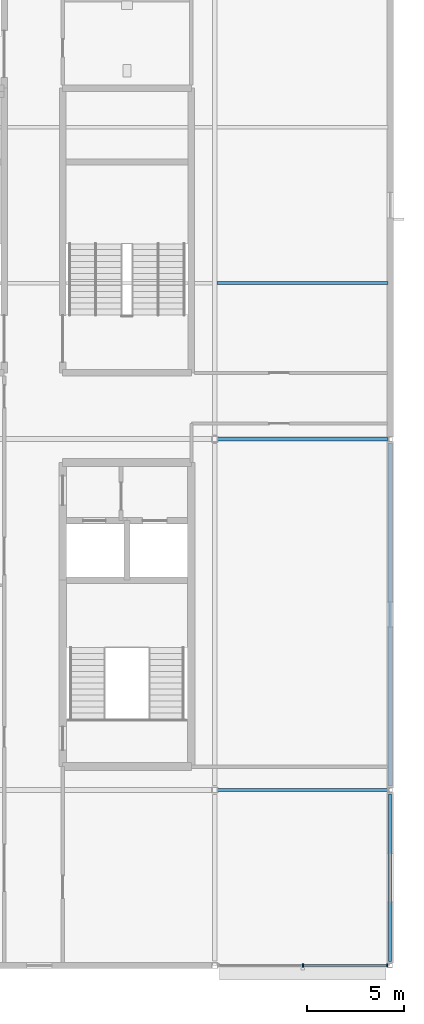
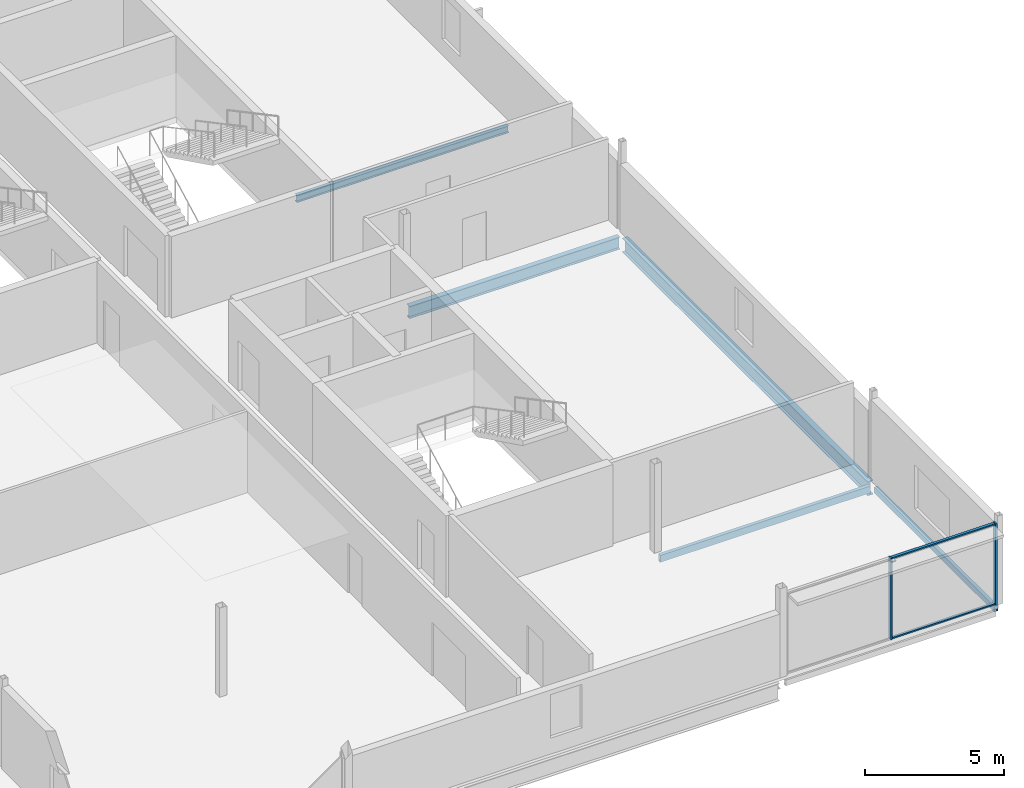
# One storey, part 23 of 55: 5 beams, 4 members, 1 element without a shape of its own.
"""IFC4 building model written with IfcOpenShell, lengths in metres."""

from ifc_helpers import new_model, si_unit, direction, frame, origin, origin_2d, place, context, subcontext, project, spatial, rectangle, hollow_rectangle, i_section, extrude, material, layer, layer_set, material_profile, profile_set, type_object, element, aggregate, save


model = new_model("IFC4")

# Units and contexts
model_context = context("Model", 3, precision=1e-05, world=origin(), true_north=direction((0.0, 1.0)))
body_context = subcontext(model_context, "Body", "Model", "MODEL_VIEW")
ifc_project = project(units=[si_unit("LENGTHUNIT", "METRE"), si_unit("AREAUNIT", "SQUARE_METRE"), si_unit("VOLUMEUNIT", "CUBIC_METRE"), si_unit("PLANEANGLEUNIT", "RADIAN"), si_unit("MASSUNIT", "GRAM", prefix="KILO")], contexts=[model_context])

# Site, building, storey
site_placement = place(None, origin())
site = spatial("IfcSite", under=ifc_project, at=site_placement, CompositionType="ELEMENT")
building_placement = place(site_placement, origin())
building = spatial("IfcBuilding", under=site, at=building_placement, Name="Kisiwana Market Hall", CompositionType="ELEMENT")
storey_placement = place(building_placement, frame((0.0, 0.0, 37.800048828125)))
storey = spatial("IfcBuildingStorey", under=building, at=storey_placement, Name="L08", CompositionType="ELEMENT", Elevation=37.800048828125)

# Beams
ifc_material_1 = material(Name="Steel S355", Category="steel")
ifc_material_profile_1 = material_profile(ifc_material_1, i_section(OverallWidth=0.209228515625, OverallDepth=0.533203125, WebThickness=0.010009765625, FlangeThickness=0.015625, at=origin_2d()), Name="UB 533x210x92")
ifc_profile_set_1 = profile_set([ifc_material_profile_1], Name="Steel S355")
beam_type_1 = type_object("IfcBeamType", Name="BM-GIRD-UB533", PredefinedType="BEAM", material=ifc_profile_set_1)
beam_1_placement = place(storey_placement, frame((189.14599609375, 36.0, -0.51171875), z_axis=(1.0, 0.0, 0.0), x_axis=(0.0, 1.0, 0.0)))
element("IfcBeam", 1, at=beam_1_placement, inside=storey, type_object=beam_type_1, Name="Floor beam B-2165", PredefinedType="BEAM", context=body_context, shape_type="SweptSolid", body=[
    extrude(i_section(OverallWidth=0.209228515625, OverallDepth=0.533203125, WebThickness=0.010009765625, FlangeThickness=0.015625, at=origin_2d()), origin(), (0.0, 0.0, 1.0), 8.7080078125),
])
ifc_material_2 = material(Name="Steel S355", Category="steel")
ifc_material_profile_2 = material_profile(ifc_material_2, i_section(OverallWidth=0.22900390625, OverallDepth=0.6123046875, WebThickness=0.011962890625, FlangeThickness=0.01953125, at=origin_2d()), Name="UB 610x229x125")
ifc_profile_set_2 = profile_set([ifc_material_profile_2], Name="Steel S355")
beam_type_2 = type_object("IfcBeamType", Name="BM-GIRD-UB610H", PredefinedType="BEAM", material=ifc_profile_set_2)
beam_2_placement = place(storey_placement, frame((198.0, 18.196044921875, -0.55126953125), z_axis=(0.0, 1.0, 0.0), x_axis=(-1.0, 0.0, 0.0)))
element("IfcBeam", 2, at=beam_2_placement, inside=storey, type_object=beam_type_2, Name="Floor beam B-2219", PredefinedType="BEAM", context=body_context, shape_type="SweptSolid", body=[
    extrude(i_section(OverallWidth=0.22900390625, OverallDepth=0.6123046875, WebThickness=0.011962890625, FlangeThickness=0.01953125, at=origin_2d()), origin(), (0.0, 0.0, 1.0), 17.60791015625),
])
ifc_material_3 = material(Name="Steel S355", Category="steel")
ifc_material_profile_3 = material_profile(ifc_material_3, i_section(OverallWidth=0.165771484375, OverallDepth=0.306640625, WebThickness=0.006591796875, FlangeThickness=0.01171875, at=origin_2d()), Name="UB 305x165x46")
ifc_profile_set_3 = profile_set([ifc_material_profile_3], Name="Steel S355")
beam_type_3 = type_object("IfcBeamType", Name="BM-JOIST-UB305H", PredefinedType="JOIST", material=ifc_profile_set_3)
beam_3_placement = place(storey_placement, frame((189.113525390625, 44.0, -0.3984375), z_axis=(1.0, 0.0, 0.0), x_axis=(0.0, 1.0, 0.0)))
element("IfcBeam", 3, at=beam_3_placement, inside=storey, type_object=beam_type_3, Name="Secondary floor joist B-2117", PredefinedType="JOIST", context=body_context, shape_type="SweptSolid", body=[
    extrude(i_section(OverallWidth=0.165771484375, OverallDepth=0.306640625, WebThickness=0.006591796875, FlangeThickness=0.01171875, at=origin_2d()), origin(), (0.0, 0.0, 1.0), 8.77294921875),
])
ifc_material_4 = material(Name="Steel S355", Category="steel")
ifc_material_profile_4 = material_profile(ifc_material_4, hollow_rectangle(XDim=0.14990234375, YDim=0.25, WallThickness=0.010009765625, at=origin_2d()), Name="RHS 250x150x10.0")
ifc_profile_set_4 = profile_set([ifc_material_profile_4], Name="Steel S355")
beam_type_4 = type_object("IfcBeamType", Name="BM-SPAN-RHS250", PredefinedType="SPANDREL", material=ifc_profile_set_4)
beam_4_placement = place(storey_placement, frame((198.0, 9.196044921875, -0.3701171875), z_axis=(0.0, 1.0, 0.0), x_axis=(-1.0, 0.0, 0.0)))
element("IfcBeam", 4, at=beam_4_placement, inside=storey, type_object=beam_type_4, Name="Floor beam B-2218", PredefinedType="SPANDREL", context=body_context, shape_type="SweptSolid", body=[
    extrude(hollow_rectangle(XDim=0.14990234375, YDim=0.25, WallThickness=0.010009765625, at=origin_2d()), origin(), (0.0, 0.0, 1.0), 8.60791015625),
])
ifc_material_5 = material(Name="Steel S355", Category="steel")
ifc_material_profile_5 = material_profile(ifc_material_5, hollow_rectangle(XDim=0.14990234375, YDim=0.300048828125, WallThickness=0.010009765625, at=origin_2d()), Name="RHS 300x150x10")
ifc_profile_set_5 = profile_set([ifc_material_profile_5], Name="Steel S355")
beam_type_5 = type_object("IfcBeamType", Name="BM-SPAN-RHS300", PredefinedType="SPANDREL", material=ifc_profile_set_5)
beam_5_placement = place(storey_placement, frame((189.14599609375, 18.0, -0.39501953125), z_axis=(1.0, 0.0, 0.0), x_axis=(0.0, 1.0, 0.0)))
element("IfcBeam", 5, at=beam_5_placement, inside=storey, type_object=beam_type_5, Name="Floor beam B-2157", PredefinedType="SPANDREL", context=body_context, shape_type="SweptSolid", body=[
    extrude(hollow_rectangle(XDim=0.14990234375, YDim=0.300048828125, WallThickness=0.010009765625, at=origin_2d()), origin(), (0.0, 0.0, 1.0), 8.7080078125),
])

# Curtain wall, members
ifc_material_6 = material(Name="Double-glazed solar-control low-E IGU", Category="glass")
ifc_layer = layer(ifc_material_6, 0.159912109375)
ifc_layer_set = layer_set([ifc_layer], Name="CW-ZNB-EW-8000")
curtain_wall_type = type_object("IfcCurtainWallType", Name="CW-ZNB-EW-8000", PredefinedType="USERDEFINED", material=ifc_layer_set)
curtain_wall_placement = place(storey_placement, origin())
curtain_wall = element("IfcCurtainWall", 6, at=curtain_wall_placement, inside=storey, type_object=curtain_wall_type, Name="Unitised curtain wall CW-239 (L08)", ObjectType="UNITISED CURTAIN WALL", PredefinedType="USERDEFINED")
ifc_material_7 = material(Name="Aluminium alloy 6063-T6", Category="aluminium")
ifc_material_profile_6 = material_profile(ifc_material_7, rectangle(XDim=0.070068359375, YDim=0.179931640625, at=origin_2d()), Name="ALU MULLION 70x180")
ifc_profile_set_6 = profile_set([ifc_material_profile_6], Name="Aluminium alloy 6063-T6")
member_type_1 = type_object("IfcMemberType", Name="CW-MULL-70x180", PredefinedType="MULLION", material=ifc_profile_set_6)
member_1_placement = place(storey_placement, frame((193.52001953125, 9.0, 0.0), z_axis=(0.0, 0.0, 1.0), x_axis=(1.0, 0.0, 0.0)))
member_1 = element("IfcMember", 7, at=member_1_placement, type_object=member_type_1, Name="CW-239 mullion 2", PredefinedType="MULLION", context=body_context, shape_type="SweptSolid", body=[
    extrude(rectangle(XDim=0.070068359375, YDim=0.179931640625, at=origin_2d()), origin(), (0.0, 0.0, 1.0), 3.56494140625),
])
member_2_placement = place(storey_placement, frame((197.85498046875, 9.0, 0.0), z_axis=(0.0, 0.0, 1.0), x_axis=(1.0, 0.0, 0.0)))
member_2 = element("IfcMember", 8, at=member_2_placement, type_object=member_type_1, Name="CW-239 mullion 3", PredefinedType="MULLION", context=body_context, shape_type="SweptSolid", body=[
    extrude(rectangle(XDim=0.070068359375, YDim=0.179931640625, at=origin_2d()), origin(), (0.0, 0.0, 1.0), 3.56494140625),
])
ifc_material_8 = material(Name="Aluminium alloy 6063-T6", Category="aluminium")
ifc_material_profile_7 = material_profile(ifc_material_8, rectangle(XDim=0.1201171875, YDim=0.06005859375, at=origin_2d()), Name="ALU TRANSOM 60x120")
ifc_profile_set_7 = profile_set([ifc_material_profile_7], Name="Aluminium alloy 6063-T6")
member_type_2 = type_object("IfcMemberType", Name="CW-TRAN-60x120", PredefinedType="USERDEFINED", material=ifc_profile_set_7)
member_3_placement = place(storey_placement, frame((193.554931640625, 9.0, 0.030029296875), z_axis=(1.0, 0.0, 0.0), x_axis=(0.0, 1.0, 0.0)))
member_3 = element("IfcMember", 9, at=member_3_placement, type_object=member_type_2, Name="CW-239 transom 2.1", ObjectType="TRANSOM", PredefinedType="USERDEFINED", context=body_context, shape_type="SweptSolid", body=[
    extrude(rectangle(XDim=0.1201171875, YDim=0.06005859375, at=origin_2d()), origin(), (0.0, 0.0, 1.0), 4.26513671875),
])
member_4_placement = place(storey_placement, frame((193.554931640625, 9.0, 3.534912109375), z_axis=(1.0, 0.0, 0.0), x_axis=(0.0, 1.0, 0.0)))
member_4 = element("IfcMember", 10, at=member_4_placement, type_object=member_type_2, Name="CW-239 transom 2.2", ObjectType="TRANSOM", PredefinedType="USERDEFINED", context=body_context, shape_type="SweptSolid", body=[
    extrude(rectangle(XDim=0.1201171875, YDim=0.06005859375, at=origin_2d()), origin(), (0.0, 0.0, 1.0), 4.26513671875),
])
aggregate(curtain_wall, [member_1, member_2, member_3, member_4])

save(model, "model.ifc")
